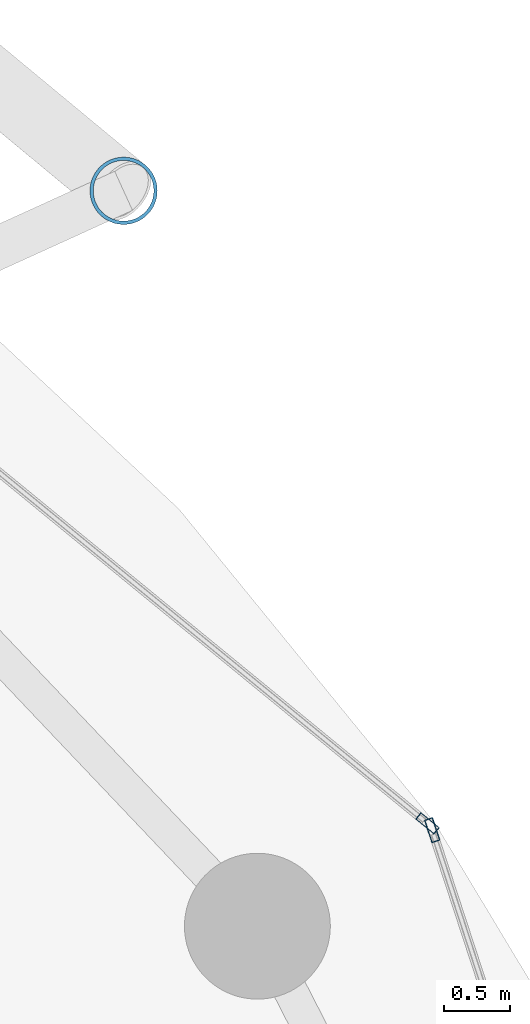
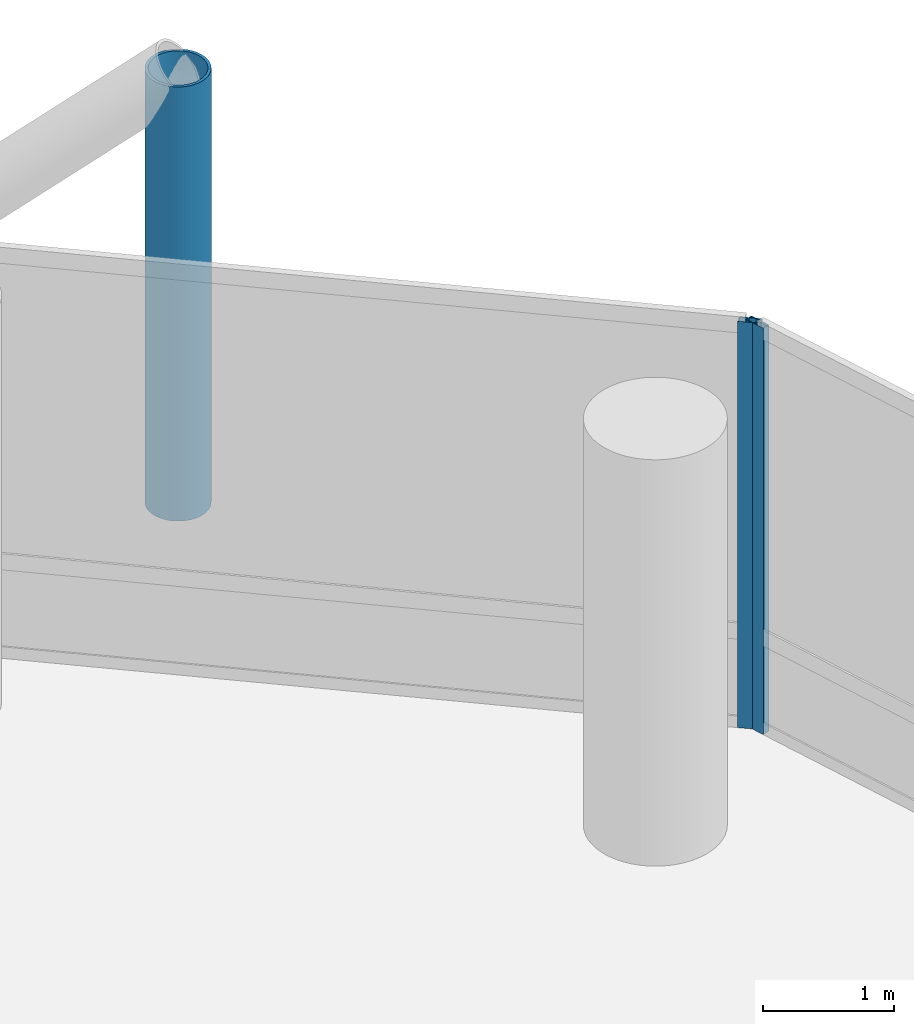
# One storey, part 19 of 24: 3 members, 2 elements without a shape of their own.
"""IFC4 building model written with IfcOpenShell, lengths in metres."""

from ifc_helpers import new_model, si_unit, direction, frame, origin, origin_2d, place, context, subcontext, project, spatial, hollow_rectangle, hollow_circle, extrude, material, layer, layer_set, material_profile, profile_set, type_object, element, aggregate, save


model = new_model("IFC4")

# Units and contexts
model_context = context("Model", 3, precision=1e-05, world=origin(), true_north=direction((0.0, 1.0)))
body_context = subcontext(model_context, "Body", "Model", "MODEL_VIEW")
ifc_project = project(units=[si_unit("LENGTHUNIT", "METRE"), si_unit("AREAUNIT", "SQUARE_METRE"), si_unit("VOLUMEUNIT", "CUBIC_METRE"), si_unit("PLANEANGLEUNIT", "RADIAN"), si_unit("MASSUNIT", "GRAM", prefix="KILO")], contexts=[model_context])

# Site, building, storey
site_placement = place(None, origin())
site = spatial("IfcSite", under=ifc_project, at=site_placement, CompositionType="ELEMENT")
building_placement = place(site_placement, origin())
building = spatial("IfcBuilding", under=site, at=building_placement, Name="Nuhasar Tower", CompositionType="ELEMENT")
storey_placement = place(building_placement, frame((0.0, 0.0, 37.199951171875)))
storey = spatial("IfcBuildingStorey", under=building, at=storey_placement, Name="L08", CompositionType="ELEMENT", Elevation=37.199951171875)

# Curtain wall, member
ifc_material_1 = material(Name="Aluminium 6063-T6", Category="aluminium")
ifc_layer = layer(ifc_material_1, 0.199951171875)
ifc_layer_set = layer_set([ifc_layer], Name="Aluminium 6063-T6")
curtain_wall_type = type_object("IfcCurtainWallType", Name="CW-Z1-OFF", PredefinedType="NOTDEFINED", material=ifc_layer_set)
curtain_wall_1_placement = place(storey_placement, origin())
curtain_wall_1 = element("IfcCurtainWall", 1, at=curtain_wall_1_placement, inside=storey, type_object=curtain_wall_type, Name="L08 Unitised Curtain Wall 01", PredefinedType="NOTDEFINED")
ifc_material_profile_1 = material_profile(ifc_material_1, hollow_rectangle(XDim=0.06494140625, YDim=0.179931640625, WallThickness=0.0048828125, at=origin_2d()), Name="CWM-2")
ifc_profile_set_1 = profile_set([ifc_material_profile_1], Name="Aluminium 6063-T6")
member_type_1 = type_object("IfcMemberType", Name="CW-MUL-S2", PredefinedType="MULLION", material=ifc_profile_set_1)
member_1_placement = place(storey_placement, frame((62.01220703125, 37.649169921875, 0.0), z_axis=(0.0, 0.0, 1.0), x_axis=(-0.950467534571, -0.310823849997, 0.0)))
member_1 = element("IfcMember", 2, at=member_1_placement, type_object=member_type_1, Name="CW-Z1 mullion 2", PredefinedType="MULLION", context=body_context, shape_type="SweptSolid", body=[
    extrude(hollow_rectangle(XDim=0.06494140625, YDim=0.179931640625, WallThickness=0.0048828125, at=origin_2d()), origin(), (0.0, 0.0, 1.0), 3.7900390625),
])
aggregate(curtain_wall_1, [member_1])

curtain_wall_2_placement = place(storey_placement, origin())
curtain_wall_2 = element("IfcCurtainWall", 3, at=curtain_wall_2_placement, inside=storey, type_object=curtain_wall_type, Name="L08 Unitised Curtain Wall 02", PredefinedType="NOTDEFINED")
member_2_placement = place(storey_placement, frame((61.976806640625, 37.70068359375, 0.0), z_axis=(0.0, 0.0, 1.0), x_axis=(-0.633744593376, -0.773542364946, 0.0)))
member_2 = element("IfcMember", 4, at=member_2_placement, type_object=member_type_1, Name="CW-Z1 mullion 1", PredefinedType="MULLION", context=body_context, shape_type="SweptSolid", body=[
    extrude(hollow_rectangle(XDim=0.06494140625, YDim=0.179931640625, WallThickness=0.0048828125, at=origin_2d()), origin(), (0.0, 0.0, 1.0), 3.7900390625),
])
aggregate(curtain_wall_2, [member_2])

# Member
ifc_material_2 = material(Name="Steel S460", Category="steel")
ifc_material_profile_2 = material_profile(ifc_material_2, hollow_circle(Radius=0.25390625, WallThickness=0.025390625, at=origin_2d()), Name="HSS508X25.4")
ifc_profile_set_2 = profile_set([ifc_material_profile_2], Name="Steel S460")
member_type_2 = type_object("IfcMemberType", Name="EXO-BRONZE-508", PredefinedType="BRACE", material=ifc_profile_set_2)
member_3_placement = place(storey_placement, frame((59.68505859375, 42.470947265625, 0.0), z_axis=(0.0, 0.0, 1.0), x_axis=(1.0, 0.0, 0.0)))
element("IfcMember", 5, at=member_3_placement, inside=storey, type_object=member_type_2, Name="L08 Exoskeleton Chord Column EC-02A", PredefinedType="BRACE", context=body_context, shape_type="SweptSolid", body=[
    extrude(hollow_circle(Radius=0.25390625, WallThickness=0.025390625, at=origin_2d()), origin(), (0.0, 0.0, 1.0), 4.050048828125),
])

save(model, "model.ifc")
